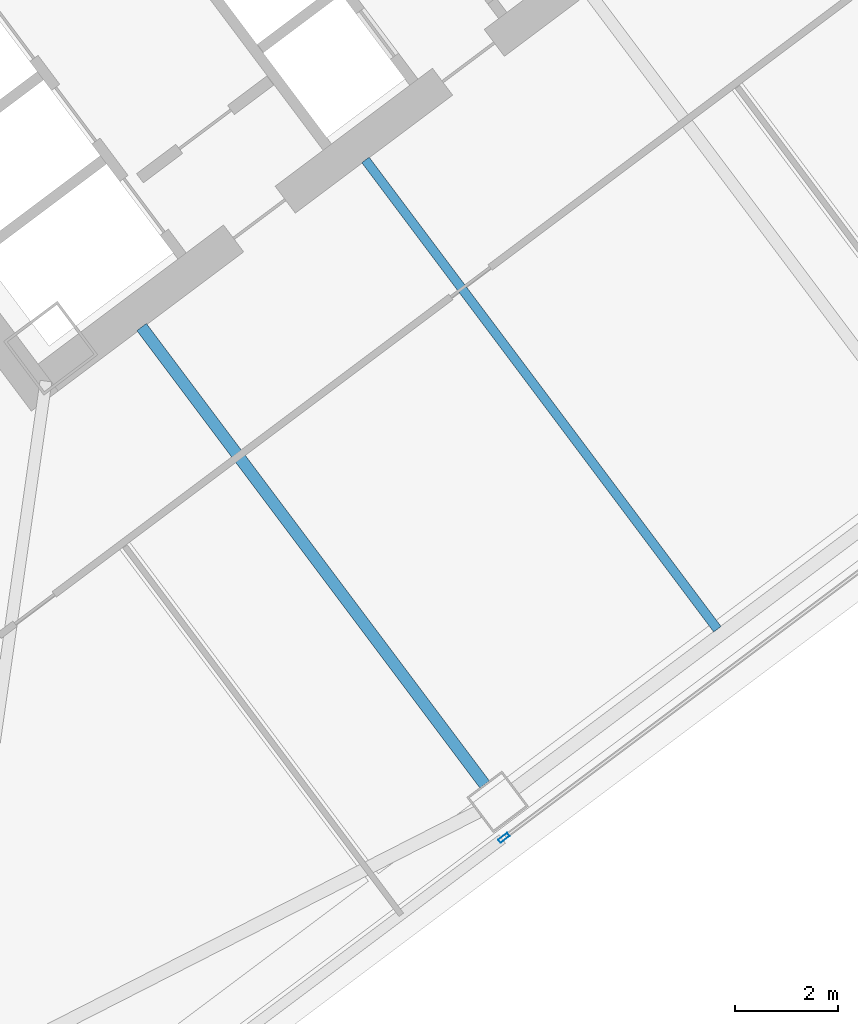
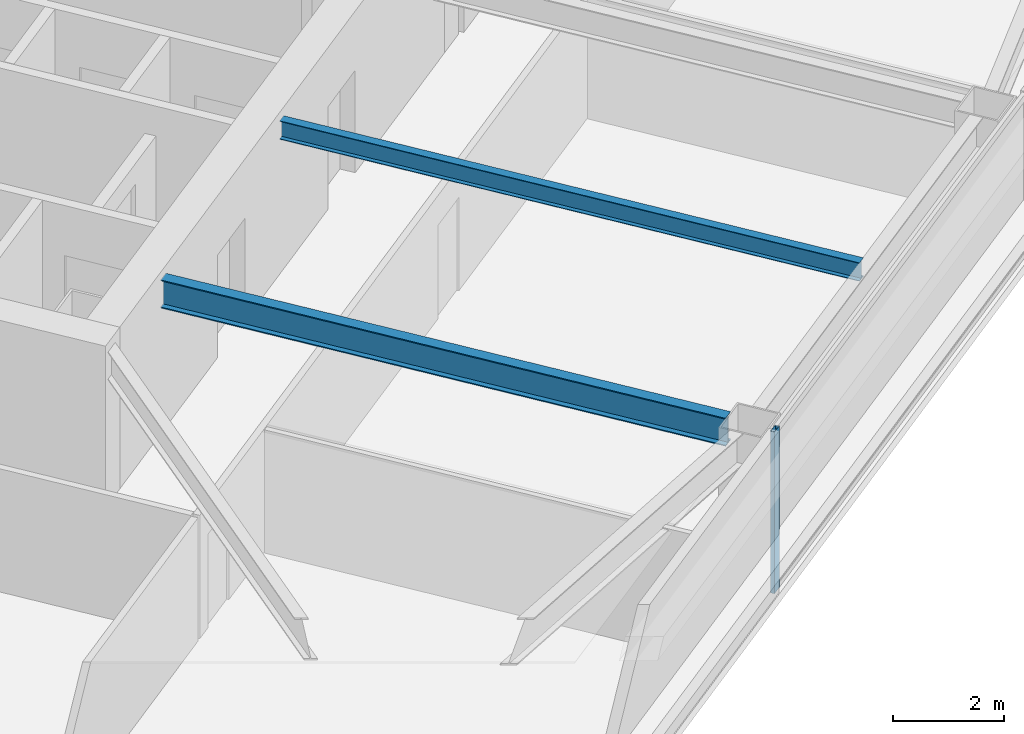
# One storey, part 21 of 44: 2 beams, 1 member, 1 element without a shape of its own.
"""IFC4 building model written with IfcOpenShell, lengths in metres."""

from ifc_helpers import new_model, si_unit, direction, frame, origin, origin_2d, place, context, subcontext, project, spatial, hollow_rectangle, i_section, extrude, material, material_profile, profile_set, type_object, element, aggregate, save


model = new_model("IFC4")

# Units and contexts
model_context = context("Model", 3, precision=1e-05, world=origin(), true_north=direction((0.0, 1.0)))
body_context = subcontext(model_context, "Body", "Model", "MODEL_VIEW")
ifc_project = project(units=[si_unit("LENGTHUNIT", "METRE"), si_unit("AREAUNIT", "SQUARE_METRE"), si_unit("VOLUMEUNIT", "CUBIC_METRE"), si_unit("PLANEANGLEUNIT", "RADIAN"), si_unit("MASSUNIT", "GRAM", prefix="KILO")], contexts=[model_context])

# Site, building, storey
site_placement = place(None, origin())
site = spatial("IfcSite", under=ifc_project, at=site_placement, CompositionType="ELEMENT")
building_placement = place(site_placement, origin())
building = spatial("IfcBuilding", under=site, at=building_placement, Name="Tashvorn Skyway Center", CompositionType="ELEMENT")
storey_placement = place(building_placement, frame((0.0, 0.0, 84.949951171875)))
storey = spatial("IfcBuildingStorey", under=building, at=storey_placement, Name="L22", CompositionType="ELEMENT", Elevation=84.949951171875)

# Beams
ifc_material_1 = material(Name="Steel ASTM A992 Grade 50", Category="steel")
ifc_material_profile_1 = material_profile(ifc_material_1, i_section(OverallWidth=0.22998046875, OverallDepth=0.616943359375, WebThickness=0.01318359375, FlangeThickness=0.022216796875, at=origin_2d()), Name="W24X94")
ifc_profile_set_1 = profile_set([ifc_material_profile_1], Name="Steel ASTM A992 Grade 50")
beam_type_1 = type_object("IfcBeamType", Name="BM-BEAM-W24X94", PredefinedType="BEAM", material=ifc_profile_set_1)
beam_1_placement = place(storey_placement, frame((120.97802734375, 13.696044921875, 3.04150390625), z_axis=(-0.60001414024, 0.799989394625, 0.0), x_axis=(-0.799989394625, -0.60001414024, 0.0)))
element("IfcBeam", 1, at=beam_1_placement, inside=storey, type_object=beam_type_1, Name="Tower 2 L22 Primary Floor Girder FC-S1", PredefinedType="BEAM", context=body_context, shape_type="SweptSolid", body=[
    extrude(i_section(OverallWidth=0.22998046875, OverallDepth=0.616943359375, WebThickness=0.01318359375, FlangeThickness=0.022216796875, at=origin_2d()), origin(), (0.0, 0.0, 1.0), 11.050048828125),
])
ifc_material_profile_2 = material_profile(ifc_material_1, i_section(OverallWidth=0.177978515625, OverallDepth=0.406005859375, WebThickness=0.0078125, FlangeThickness=0.0126953125, at=origin_2d()), Name="W16X40")
ifc_profile_set_2 = profile_set([ifc_material_profile_2], Name="Steel ASTM A992 Grade 50")
beam_type_2 = type_object("IfcBeamType", Name="BM-JOIST-W16X40", PredefinedType="JOIST", material=ifc_profile_set_2)
beam_2_placement = place(storey_placement, frame((118.674072265625, 25.76806640625, 3.14697265625), z_axis=(0.599996555327, -0.800002583493, 0.0), x_axis=(0.800002583493, 0.599996555327, 0.0)))
element("IfcBeam", 2, at=beam_2_placement, inside=storey, type_object=beam_type_2, Name="Tower 2 L22 Secondary Composite Joist JS", PredefinedType="JOIST", context=body_context, shape_type="SweptSolid", body=[
    extrude(i_section(OverallWidth=0.177978515625, OverallDepth=0.406005859375, WebThickness=0.0078125, FlangeThickness=0.0126953125, at=origin_2d()), origin(), (0.0, 0.0, 1.0), 11.340087890625),
])

# Curtain wall, member
ifc_material_2 = material(Name="Thermally broken bronze-anodized aluminium 6063-T6", Category="aluminium")
curtain_wall_type = type_object("IfcCurtainWallType", Name="CW-CW-Z2", PredefinedType="NOTDEFINED", material=ifc_material_2)
curtain_wall_placement = place(storey_placement, origin())
curtain_wall = element("IfcCurtainWall", 3, at=curtain_wall_placement, inside=storey, type_object=curtain_wall_type, Name="Tower 2 L22 South Unitised Curtain Wall Glazing Group 2", PredefinedType="NOTDEFINED")
ifc_material_profile_3 = material_profile(ifc_material_2, hollow_rectangle(XDim=0.080078125, YDim=0.219970703125, WallThickness=0.0048828125, at=origin_2d()), Name="ALU-MULL-80x220")
ifc_profile_set_3 = profile_set([ifc_material_profile_3], Name="Thermally broken bronze-anodized aluminium 6063-T6")
member_type = type_object("IfcMemberType", Name="CWM-CW-Z2", PredefinedType="MULLION", material=ifc_profile_set_3)
member_placement = place(storey_placement, frame((121.35205078125, 12.6640625, 0.0), z_axis=(0.0, 0.0, 1.0), x_axis=(0.600000000002, -0.799999999998, 0.0)))
member = element("IfcMember", 4, at=member_placement, type_object=member_type, Name="CW-Z2 mullion 2", PredefinedType="MULLION", context=body_context, shape_type="SweptSolid", body=[
    extrude(hollow_rectangle(XDim=0.080078125, YDim=0.219970703125, WallThickness=0.0048828125, at=origin_2d()), origin(), (0.0, 0.0, 1.0), 3.550048828125),
])
aggregate(curtain_wall, [member])

save(model, "model.ifc")
